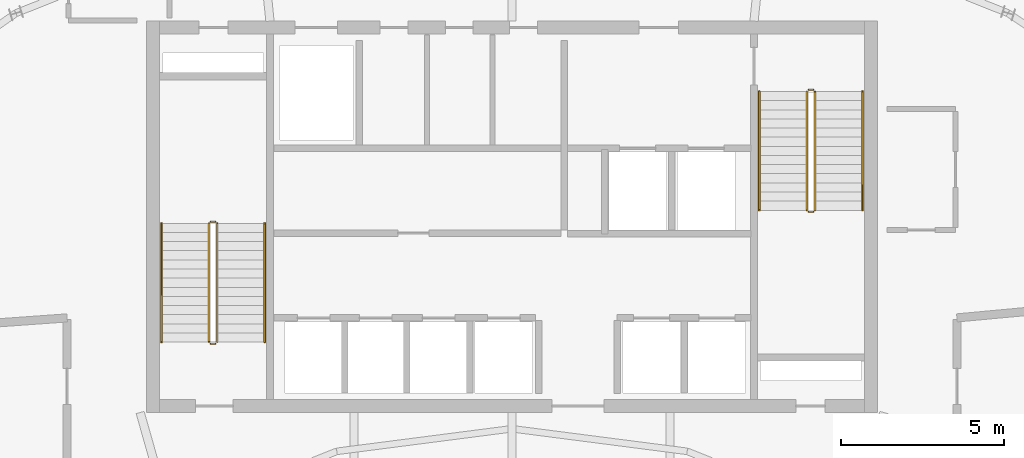
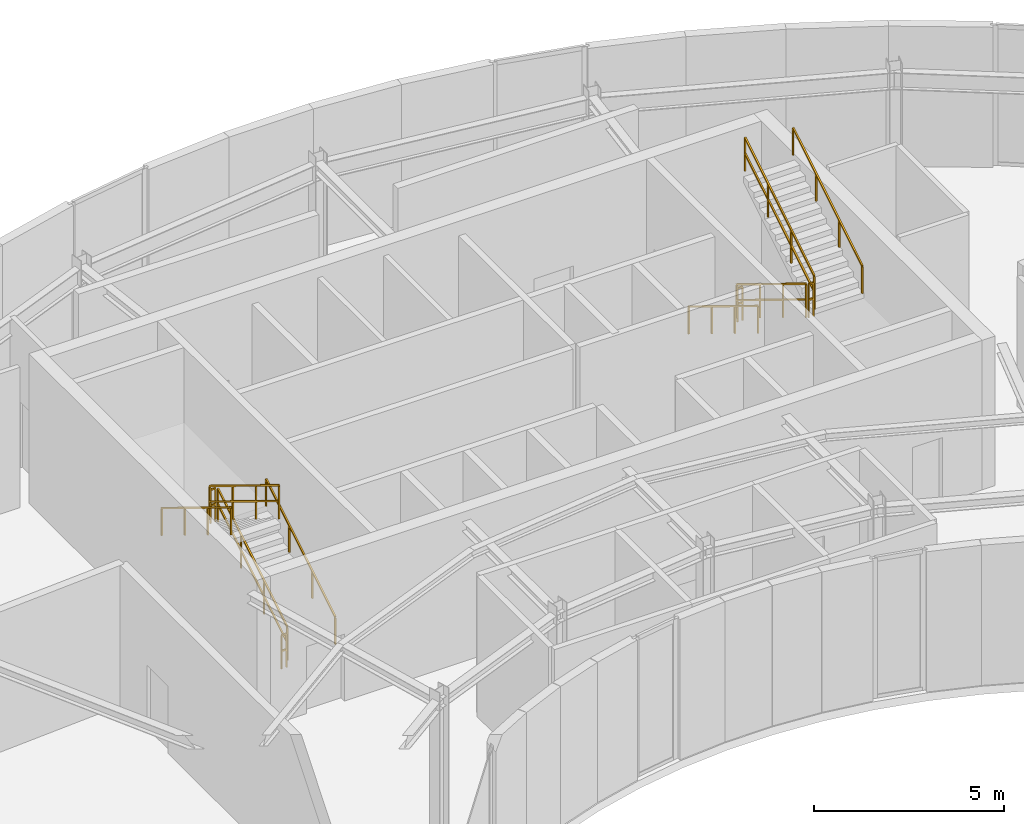
# One storey, part 10 of 10: 12 railings.
"""IFC4 building model written with IfcOpenShell, lengths in metres."""

from ifc_helpers import new_model, si_unit, direction, frame, origin, origin_2d, place, context, subcontext, project, spatial, rectangle, extrude, material, type_object, element, save


model = new_model("IFC4")

# Units and contexts
model_context = context("Model", 3, precision=1e-05, world=origin(), true_north=direction((0.0, 1.0)))
body_context = subcontext(model_context, "Body", "Model", "MODEL_VIEW")
ifc_project = project(units=[si_unit("LENGTHUNIT", "METRE"), si_unit("AREAUNIT", "SQUARE_METRE"), si_unit("VOLUMEUNIT", "CUBIC_METRE"), si_unit("PLANEANGLEUNIT", "RADIAN"), si_unit("MASSUNIT", "GRAM", prefix="KILO")], contexts=[model_context])

# Site, building, storey
site_placement = place(None, origin())
site = spatial("IfcSite", under=ifc_project, at=site_placement, CompositionType="ELEMENT")
building_placement = place(site_placement, origin())
building = spatial("IfcBuilding", under=site, at=building_placement, Name="Breltana Convention Tower", CompositionType="ELEMENT")
storey_placement = place(building_placement, frame((0.0, 0.0, 307.800048828125)))
storey = spatial("IfcBuildingStorey", under=building, at=storey_placement, Name="L75", CompositionType="ELEMENT", Elevation=307.800048828125)

# Railings
ifc_material_1 = material(Name="Steel S275 Painted", Category="steel")
railing_type_1 = type_object("IfcRailingType", Name="RL-STAIR-GUARD-1100", PredefinedType="GUARDRAIL", material=ifc_material_1)
railing_1_placement = place(storey_placement, frame((38.9599609375, 62.360107421875, 0.17138671875)))
element("IfcRailing", 1, at=railing_1_placement, inside=storey, type_object=railing_type_1, Name="L75 ST-1 stair guard 1", PredefinedType="GUARDRAIL", context=body_context, shape_type="SweptSolid", body=[
    extrude(rectangle(XDim=0.048095703125, YDim=0.048095703125, at=origin_2d()), frame((0.0, 0.0, 1.076171875), z_axis=(0.0, 0.852850264322, 0.5221555579), x_axis=(-1.0, 0.0, 0.0)), (0.0, 0.0, 1.0), 4.267822265625),
    extrude(rectangle(XDim=0.048095703125, YDim=0.048095703125, at=origin_2d()), frame((0.0, 0.0, 0.572021484375), z_axis=(0.0, 0.852850264322, 0.5221555579), x_axis=(-1.0, 0.0, 0.0)), (0.0, 0.0, 1.0), 4.267822265625),
    extrude(rectangle(XDim=0.0419921875, YDim=0.0419921875, at=origin_2d()), origin(), (0.0, 0.0, 1.0), 1.052001953125),
    extrude(rectangle(XDim=0.0419921875, YDim=0.0419921875, at=origin_2d()), frame((0.0, 1.21337890625, 0.742919921875)), (0.0, 0.0, 1.0), 1.052001953125),
    extrude(rectangle(XDim=0.0419921875, YDim=0.0419921875, at=origin_2d()), frame((0.0, 2.426513671875, 1.485595703125)), (0.0, 0.0, 1.0), 1.052001953125),
    extrude(rectangle(XDim=0.0419921875, YDim=0.0419921875, at=origin_2d()), frame((0.0, 3.639892578125, 2.228515625)), (0.0, 0.0, 1.0), 1.052001953125),
])
railing_2_placement = place(storey_placement, frame((38.909912109375, 66.050048828125, 2.39990234375)))
element("IfcRailing", 2, at=railing_2_placement, inside=storey, type_object=railing_type_1, Name="L75 ST-1 stair guard 2", PredefinedType="GUARDRAIL", context=body_context, shape_type="SweptSolid", body=[
    extrude(rectangle(XDim=0.048095703125, YDim=0.048095703125, at=origin_2d()), frame((0.0, 0.0, 1.076171875), z_axis=(-1.0, 0.0, 0.0), x_axis=(0.0, -1.0, 0.0)), (0.0, 0.0, 1.0), 0.14990234375),
    extrude(rectangle(XDim=0.048095703125, YDim=0.048095703125, at=origin_2d()), frame((0.0, 0.0, 0.572021484375), z_axis=(-1.0, 0.0, 0.0), x_axis=(0.0, -1.0, 0.0)), (0.0, 0.0, 1.0), 0.14990234375),
    extrude(rectangle(XDim=0.0419921875, YDim=0.0419921875, at=origin_2d()), origin(), (0.0, 0.0, 1.0), 1.052001953125),
    extrude(rectangle(XDim=0.0419921875, YDim=0.0419921875, at=origin_2d()), frame((-0.14990234375, 0.0, 0.0)), (0.0, 0.0, 1.0), 1.052001953125),
])
railing_3_placement = place(storey_placement, frame((38.7099609375, 66.0, 2.5712890625)))
element("IfcRailing", 3, at=railing_3_placement, inside=storey, type_object=railing_type_1, Name="L75 ST-1 stair guard 3", PredefinedType="GUARDRAIL", context=body_context, shape_type="SweptSolid", body=[
    extrude(rectangle(XDim=0.048095703125, YDim=0.048095703125, at=origin_2d()), frame((0.0, 0.0, 1.076171875), z_axis=(0.0, -0.852824790078, 0.522197163366), x_axis=(1.0, 0.0, 0.0)), (0.0, 0.0, 1.0), 4.26806640625),
    extrude(rectangle(XDim=0.048095703125, YDim=0.048095703125, at=origin_2d()), frame((0.0, 0.0, 0.572021484375), z_axis=(0.0, -0.852824790078, 0.522197163366), x_axis=(1.0, 0.0, 0.0)), (0.0, 0.0, 1.0), 4.26806640625),
    extrude(rectangle(XDim=0.0419921875, YDim=0.0419921875, at=origin_2d()), origin(), (0.0, 0.0, 1.0), 1.052001953125),
    extrude(rectangle(XDim=0.0419921875, YDim=0.0419921875, at=origin_2d()), frame((0.0, -1.21337890625, 0.742919921875)), (0.0, 0.0, 1.0), 1.052001953125),
    extrude(rectangle(XDim=0.0419921875, YDim=0.0419921875, at=origin_2d()), frame((0.0, -2.426513671875, 1.48583984375)), (0.0, 0.0, 1.0), 1.052001953125),
    extrude(rectangle(XDim=0.0419921875, YDim=0.0419921875, at=origin_2d()), frame((0.0, -3.639892578125, 2.228759765625)), (0.0, 0.0, 1.0), 1.052001953125),
])
railing_4_placement = place(storey_placement, frame((38.909912109375, 62.31005859375, 0.0)))
element("IfcRailing", 4, at=railing_4_placement, inside=storey, type_object=railing_type_1, Name="L75 ST-1 stair guard 4", PredefinedType="GUARDRAIL", context=body_context, shape_type="SweptSolid", body=[
    extrude(rectangle(XDim=0.048095703125, YDim=0.048095703125, at=origin_2d()), frame((0.0, 0.0, 1.076171875), z_axis=(-1.0, 0.0, 0.0), x_axis=(0.0, -1.0, 0.0)), (0.0, 0.0, 1.0), 0.14990234375),
    extrude(rectangle(XDim=0.048095703125, YDim=0.048095703125, at=origin_2d()), frame((0.0, 0.0, 0.572021484375), z_axis=(-1.0, 0.0, 0.0), x_axis=(0.0, -1.0, 0.0)), (0.0, 0.0, 1.0), 0.14990234375),
    extrude(rectangle(XDim=0.0419921875, YDim=0.0419921875, at=origin_2d()), origin(), (0.0, 0.0, 1.0), 1.052001953125),
    extrude(rectangle(XDim=0.0419921875, YDim=0.0419921875, at=origin_2d()), frame((-0.14990234375, 0.0, 0.0)), (0.0, 0.0, 1.0), 1.052001953125),
])
railing_5_placement = place(storey_placement, frame((57.0400390625, 70.0400390625, 0.17138671875)))
element("IfcRailing", 5, at=railing_5_placement, inside=storey, type_object=railing_type_1, Name="L75 ST-2 stair guard 1", PredefinedType="GUARDRAIL", context=body_context, shape_type="SweptSolid", body=[
    extrude(rectangle(XDim=0.048095703125, YDim=0.048095703125, at=origin_2d()), frame((0.0, 0.0, 1.076171875), z_axis=(0.0, -0.852865859571, 0.52213008492), x_axis=(1.0, 0.0, 0.0)), (0.0, 0.0, 1.0), 4.26806640625),
    extrude(rectangle(XDim=0.048095703125, YDim=0.048095703125, at=origin_2d()), frame((0.0, 0.0, 0.572021484375), z_axis=(0.0, -0.852865859571, 0.52213008492), x_axis=(1.0, 0.0, 0.0)), (0.0, 0.0, 1.0), 4.26806640625),
    extrude(rectangle(XDim=0.0419921875, YDim=0.0419921875, at=origin_2d()), origin(), (0.0, 0.0, 1.0), 1.052001953125),
    extrude(rectangle(XDim=0.0419921875, YDim=0.0419921875, at=origin_2d()), frame((0.0, -1.21337890625, 0.742919921875)), (0.0, 0.0, 1.0), 1.052001953125),
    extrude(rectangle(XDim=0.0419921875, YDim=0.0419921875, at=origin_2d()), frame((0.0, -2.4267578125, 1.485595703125)), (0.0, 0.0, 1.0), 1.052001953125),
    extrude(rectangle(XDim=0.0419921875, YDim=0.0419921875, at=origin_2d()), frame((0.0, -3.64013671875, 2.228515625)), (0.0, 0.0, 1.0), 1.052001953125),
])
railing_6_placement = place(storey_placement, frame((57.090087890625, 66.35009765625, 2.39990234375)))
element("IfcRailing", 6, at=railing_6_placement, inside=storey, type_object=railing_type_1, Name="L75 ST-2 stair guard 2", PredefinedType="GUARDRAIL", context=body_context, shape_type="SweptSolid", body=[
    extrude(rectangle(XDim=0.048095703125, YDim=0.048095703125, at=origin_2d()), frame((0.0, 0.0, 1.076171875), z_axis=(1.0, 0.0, 0.0), x_axis=(0.0, 1.0, 0.0)), (0.0, 0.0, 1.0), 0.14990234375),
    extrude(rectangle(XDim=0.048095703125, YDim=0.048095703125, at=origin_2d()), frame((0.0, 0.0, 0.572021484375), z_axis=(1.0, 0.0, 0.0), x_axis=(0.0, 1.0, 0.0)), (0.0, 0.0, 1.0), 0.14990234375),
    extrude(rectangle(XDim=0.0419921875, YDim=0.0419921875, at=origin_2d()), origin(), (0.0, 0.0, 1.0), 1.052001953125),
    extrude(rectangle(XDim=0.0419921875, YDim=0.0419921875, at=origin_2d()), frame((0.14990234375, 0.0, 0.0)), (0.0, 0.0, 1.0), 1.052001953125),
])
railing_7_placement = place(storey_placement, frame((57.2900390625, 66.39990234375, 2.5712890625)))
element("IfcRailing", 7, at=railing_7_placement, inside=storey, type_object=railing_type_1, Name="L75 ST-2 stair guard 3", PredefinedType="GUARDRAIL", context=body_context, shape_type="SweptSolid", body=[
    extrude(rectangle(XDim=0.048095703125, YDim=0.048095703125, at=origin_2d()), frame((0.0, 0.0, 1.076171875), z_axis=(0.0, 0.852840387347, 0.522171689878), x_axis=(-1.0, 0.0, 0.0)), (0.0, 0.0, 1.0), 4.268310546875),
    extrude(rectangle(XDim=0.048095703125, YDim=0.048095703125, at=origin_2d()), frame((0.0, 0.0, 0.572021484375), z_axis=(0.0, 0.852840387347, 0.522171689878), x_axis=(-1.0, 0.0, 0.0)), (0.0, 0.0, 1.0), 4.268310546875),
    extrude(rectangle(XDim=0.0419921875, YDim=0.0419921875, at=origin_2d()), origin(), (0.0, 0.0, 1.0), 1.052001953125),
    extrude(rectangle(XDim=0.0419921875, YDim=0.0419921875, at=origin_2d()), frame((0.0, 1.21337890625, 0.742919921875)), (0.0, 0.0, 1.0), 1.052001953125),
    extrude(rectangle(XDim=0.0419921875, YDim=0.0419921875, at=origin_2d()), frame((0.0, 2.4267578125, 1.48583984375)), (0.0, 0.0, 1.0), 1.052001953125),
    extrude(rectangle(XDim=0.0419921875, YDim=0.0419921875, at=origin_2d()), frame((0.0, 3.64013671875, 2.228759765625)), (0.0, 0.0, 1.0), 1.052001953125),
])
railing_8_placement = place(storey_placement, frame((57.090087890625, 70.090087890625, 0.0)))
element("IfcRailing", 8, at=railing_8_placement, inside=storey, type_object=railing_type_1, Name="L75 ST-2 stair guard 4", PredefinedType="GUARDRAIL", context=body_context, shape_type="SweptSolid", body=[
    extrude(rectangle(XDim=0.048095703125, YDim=0.048095703125, at=origin_2d()), frame((0.0, 0.0, 1.076171875), z_axis=(1.0, 0.0, 0.0), x_axis=(0.0, 1.0, 0.0)), (0.0, 0.0, 1.0), 0.14990234375),
    extrude(rectangle(XDim=0.048095703125, YDim=0.048095703125, at=origin_2d()), frame((0.0, 0.0, 0.572021484375), z_axis=(1.0, 0.0, 0.0), x_axis=(0.0, 1.0, 0.0)), (0.0, 0.0, 1.0), 0.14990234375),
    extrude(rectangle(XDim=0.0419921875, YDim=0.0419921875, at=origin_2d()), origin(), (0.0, 0.0, 1.0), 1.052001953125),
    extrude(rectangle(XDim=0.0419921875, YDim=0.0419921875, at=origin_2d()), frame((0.14990234375, 0.0, 0.0)), (0.0, 0.0, 1.0), 1.052001953125),
])
ifc_material_2 = material(Name="Stainless Steel 316L", Category="steel")
railing_type_2 = type_object("IfcRailingType", Name="RL-STAIR-HANDRAIL-900", PredefinedType="HANDRAIL", material=ifc_material_2)
railing_9_placement = place(storey_placement, frame((40.419921875, 62.360107421875, 0.17138671875)))
element("IfcRailing", 9, at=railing_9_placement, inside=storey, type_object=railing_type_2, Name="L75 ST-1 stair handrail 1", PredefinedType="HANDRAIL", context=body_context, shape_type="SweptSolid", body=[
    extrude(rectangle(XDim=0.048095703125, YDim=0.048095703125, at=origin_2d()), frame((0.0, 0.0, 0.8759765625), z_axis=(0.0, 0.852850264322, 0.5221555579), x_axis=(-1.0, 0.0, 0.0)), (0.0, 0.0, 1.0), 4.267822265625),
    extrude(rectangle(XDim=0.0419921875, YDim=0.0419921875, at=origin_2d()), origin(), (0.0, 0.0, 1.0), 0.851806640625),
    extrude(rectangle(XDim=0.0419921875, YDim=0.0419921875, at=origin_2d()), frame((0.0, 1.21337890625, 0.742919921875)), (0.0, 0.0, 1.0), 0.851806640625),
    extrude(rectangle(XDim=0.0419921875, YDim=0.0419921875, at=origin_2d()), frame((0.0, 2.426513671875, 1.485595703125)), (0.0, 0.0, 1.0), 0.851806640625),
    extrude(rectangle(XDim=0.0419921875, YDim=0.0419921875, at=origin_2d()), frame((0.0, 3.639892578125, 2.228515625)), (0.0, 0.0, 1.0), 0.851806640625),
])
railing_10_placement = place(storey_placement, frame((37.25, 66.0, 2.5712890625)))
element("IfcRailing", 10, at=railing_10_placement, inside=storey, type_object=railing_type_2, Name="L75 ST-1 stair handrail 2", PredefinedType="HANDRAIL", context=body_context, shape_type="SweptSolid", body=[
    extrude(rectangle(XDim=0.048095703125, YDim=0.048095703125, at=origin_2d()), frame((0.0, 0.0, 0.8759765625), z_axis=(0.0, -0.852824790078, 0.522197163366), x_axis=(1.0, 0.0, 0.0)), (0.0, 0.0, 1.0), 4.26806640625),
    extrude(rectangle(XDim=0.0419921875, YDim=0.0419921875, at=origin_2d()), origin(), (0.0, 0.0, 1.0), 0.851806640625),
    extrude(rectangle(XDim=0.0419921875, YDim=0.0419921875, at=origin_2d()), frame((0.0, -1.21337890625, 0.742919921875)), (0.0, 0.0, 1.0), 0.851806640625),
    extrude(rectangle(XDim=0.0419921875, YDim=0.0419921875, at=origin_2d()), frame((0.0, -2.426513671875, 1.48583984375)), (0.0, 0.0, 1.0), 0.851806640625),
    extrude(rectangle(XDim=0.0419921875, YDim=0.0419921875, at=origin_2d()), frame((0.0, -3.639892578125, 2.228759765625)), (0.0, 0.0, 1.0), 0.851806640625),
])
railing_11_placement = place(storey_placement, frame((55.580078125, 70.0400390625, 0.17138671875)))
element("IfcRailing", 11, at=railing_11_placement, inside=storey, type_object=railing_type_2, Name="L75 ST-2 stair handrail 1", PredefinedType="HANDRAIL", context=body_context, shape_type="SweptSolid", body=[
    extrude(rectangle(XDim=0.048095703125, YDim=0.048095703125, at=origin_2d()), frame((0.0, 0.0, 0.8759765625), z_axis=(0.0, -0.852865859571, 0.52213008492), x_axis=(1.0, 0.0, 0.0)), (0.0, 0.0, 1.0), 4.26806640625),
    extrude(rectangle(XDim=0.0419921875, YDim=0.0419921875, at=origin_2d()), origin(), (0.0, 0.0, 1.0), 0.851806640625),
    extrude(rectangle(XDim=0.0419921875, YDim=0.0419921875, at=origin_2d()), frame((0.0, -1.21337890625, 0.742919921875)), (0.0, 0.0, 1.0), 0.851806640625),
    extrude(rectangle(XDim=0.0419921875, YDim=0.0419921875, at=origin_2d()), frame((0.0, -2.4267578125, 1.485595703125)), (0.0, 0.0, 1.0), 0.851806640625),
    extrude(rectangle(XDim=0.0419921875, YDim=0.0419921875, at=origin_2d()), frame((0.0, -3.64013671875, 2.228515625)), (0.0, 0.0, 1.0), 0.851806640625),
])
railing_12_placement = place(storey_placement, frame((58.75, 66.39990234375, 2.5712890625)))
element("IfcRailing", 12, at=railing_12_placement, inside=storey, type_object=railing_type_2, Name="L75 ST-2 stair handrail 2", PredefinedType="HANDRAIL", context=body_context, shape_type="SweptSolid", body=[
    extrude(rectangle(XDim=0.048095703125, YDim=0.048095703125, at=origin_2d()), frame((0.0, 0.0, 0.8759765625), z_axis=(0.0, 0.852840387347, 0.522171689878), x_axis=(-1.0, 0.0, 0.0)), (0.0, 0.0, 1.0), 4.268310546875),
    extrude(rectangle(XDim=0.0419921875, YDim=0.0419921875, at=origin_2d()), origin(), (0.0, 0.0, 1.0), 0.851806640625),
    extrude(rectangle(XDim=0.0419921875, YDim=0.0419921875, at=origin_2d()), frame((0.0, 1.21337890625, 0.742919921875)), (0.0, 0.0, 1.0), 0.851806640625),
    extrude(rectangle(XDim=0.0419921875, YDim=0.0419921875, at=origin_2d()), frame((0.0, 2.4267578125, 1.48583984375)), (0.0, 0.0, 1.0), 0.851806640625),
    extrude(rectangle(XDim=0.0419921875, YDim=0.0419921875, at=origin_2d()), frame((0.0, 3.64013671875, 2.228759765625)), (0.0, 0.0, 1.0), 0.851806640625),
])

save(model, "model.ifc")
